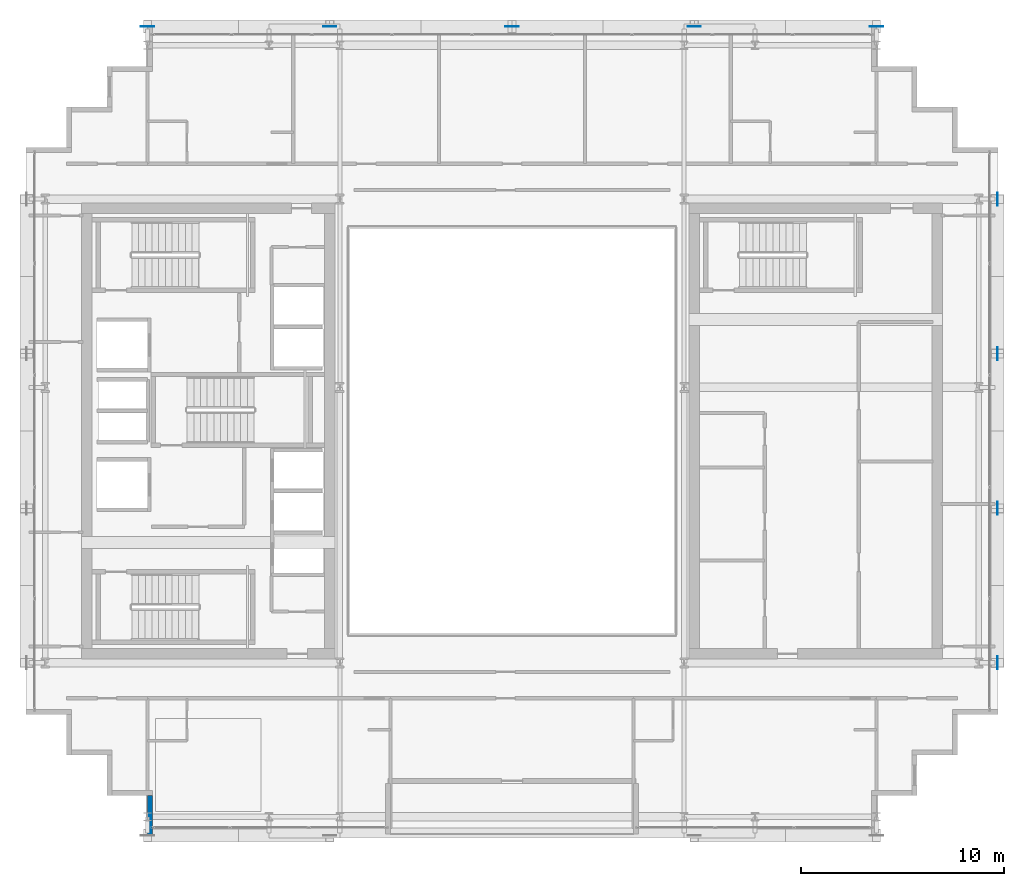
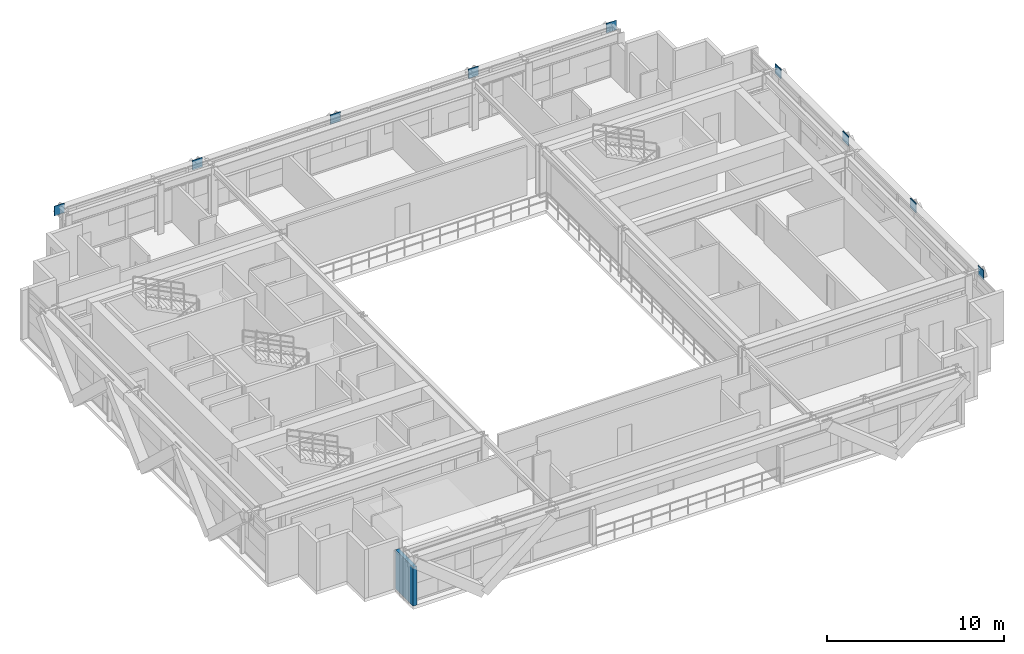
# One storey, part 23 of 31: 9 plates, 1 wall.
"""IFC4 building model written with IfcOpenShell, lengths in metres."""

from ifc_helpers import new_model, si_unit, direction, frame, frame_2d, origin, origin_2d, place, context, subcontext, project, spatial, rectangle, extrude, source, transform, mapped, material, layer, layer_set, type_object, element, save


model = new_model("IFC4")

# Units and contexts
model_context = context("Model", 3, precision=1e-05, world=origin(), true_north=direction((0.0, 1.0)))
body_context = subcontext(model_context, "Body", "Model", "MODEL_VIEW")
ifc_project = project(units=[si_unit("LENGTHUNIT", "METRE"), si_unit("AREAUNIT", "SQUARE_METRE"), si_unit("VOLUMEUNIT", "CUBIC_METRE"), si_unit("PLANEANGLEUNIT", "RADIAN"), si_unit("MASSUNIT", "GRAM", prefix="KILO")], contexts=[model_context])

# Site, building, storey
site_placement = place(None, origin())
site = spatial("IfcSite", under=ifc_project, at=site_placement, CompositionType="ELEMENT")
building_placement = place(site_placement, origin())
building = spatial("IfcBuilding", under=site, at=building_placement, Name="Ocotamira Hotel", CompositionType="ELEMENT")
storey_placement = place(building_placement, frame((0.0, 0.0, 199.199951171875)))
storey = spatial("IfcBuildingStorey", under=building, at=storey_placement, Name="L50", CompositionType="ELEMENT", Elevation=199.199951171875)

# Plates
ifc_material_1 = material(Name="Pale-metal coated steel ASTM A572 Grade 50", Category="steel")
ifc_layer_1 = layer(ifc_material_1, 0.0400390625)
ifc_layer_set_1 = layer_set([ifc_layer_1], Name="Pale-metal coated steel ASTM A572 Grade 50")
plate_type = type_object("IfcPlateType", Name="PLT-GUSSET-40", PredefinedType="SHEET", material=ifc_layer_set_1)
shared_shape_1 = source(origin(), body_context, "Body", "SweptSolid", [
    extrude(rectangle(XDim=0.64990234375, YDim=0.0400390625, at=origin_2d()), origin(), (0.0, 0.0, 1.0), 0.64990234375),
])
for number, where, z_axis, x_axis, name in (
    (1, (14.0, 45.969970703125, 2.795166015625), (0.0, 0.0, 1.0), (-1.0, 0.0, 0.0), "L50 Exoskeleton Diagrid N0.1 End Gusset B"),
    (2, (23.0, 45.969970703125, 2.795166015625), (0.0, 0.0, 1.0), (1.0, 0.0, 0.0), "L50 Exoskeleton Diagrid N0.2 End Gusset B"),
    (3, (32.0, 45.969970703125, 2.795166015625), (0.0, 0.0, 1.0), (1.0, 0.0, 0.0), "L50 Exoskeleton Diagrid N1.2 End Gusset B"),
    (4, (41.0, 45.969970703125, 2.795166015625), (0.0, 0.0, 1.0), (1.0, 0.0, 0.0), "L50 Exoskeleton Diagrid N2.2 End Gusset B"),
    (5, (50.0, 45.969970703125, 2.795166015625), (0.0, 0.0, 1.0), (1.0, 0.0, 0.0), "L50 Exoskeleton Diagrid N3.2 End Gusset B"),
):
    element("IfcPlate", number, at=place(storey_placement, frame(where, z_axis=z_axis, x_axis=x_axis)), inside=storey, type_object=plate_type, Name=name, PredefinedType="SHEET", context=body_context, shape_type="MappedRepresentation", body=[
        mapped(shared_shape_1, transform((0.0, 0.0, 0.0), scale=1.0)),
    ])
shared_shape_2 = source(origin(), body_context, "Body", "SweptSolid", [
    extrude(rectangle(XDim=0.0400390625, YDim=0.64990234375, at=origin_2d()), origin(), (0.0, 0.0, 1.0), 0.64990234375),
])
for number, where, z_axis, x_axis, name in (
    (6, (55.969970703125, 14.550048828125, 2.795166015625), (0.0, 0.0, 1.0), (1.0, 0.0, 0.0), "L50 Exoskeleton Diagrid E0.1 End Gusset B"),
    (7, (55.969970703125, 22.183349609375, 2.795166015625), (0.0, 0.0, 1.0), (1.0, 0.0, 0.0), "L50 Exoskeleton Diagrid E0.2 End Gusset B"),
    (8, (55.969970703125, 29.816650390625, 2.795166015625), (0.0, 0.0, 1.0), (1.0, 0.0, 0.0), "L50 Exoskeleton Diagrid E1.2 End Gusset B"),
    (9, (55.969970703125, 37.449951171875, 2.795166015625), (0.0, 0.0, 1.0), (1.0, 0.0, 0.0), "L50 Exoskeleton Diagrid E2.2 End Gusset B"),
):
    element("IfcPlate", number, at=place(storey_placement, frame(where, z_axis=z_axis, x_axis=x_axis)), inside=storey, type_object=plate_type, Name=name, PredefinedType="SHEET", context=body_context, shape_type="MappedRepresentation", body=[
        mapped(shared_shape_2, transform((0.0, 0.0, 0.0), scale=1.0)),
    ])

# Wall
ifc_material_2 = material(Name="Precast concrete C45/55", Category="concrete")
ifc_layer_2 = layer(ifc_material_2, 0.25)
ifc_layer_set_2 = layer_set([ifc_layer_2], Name="Precast concrete C45/55")
wall_type = type_object("IfcWallType", Name="WL-EXT-SER-250", PredefinedType="SOLIDWALL", material=ifc_layer_set_2)
wall_placement = place(storey_placement, frame((14.125, 8.0, 0.0), z_axis=(0.0, 0.0, 1.0), x_axis=(0.0, -1.0, 0.0)))
element("IfcWall", 10, at=wall_placement, inside=storey, type_object=wall_type, Name="L50 Serrated Corner Wall 24", PredefinedType="SOLIDWALL", context=body_context, shape_type="SweptSolid", body=[
    extrude(rectangle(XDim=2.0, YDim=0.25, at=frame_2d((1.0, 0.0))), origin(), (0.0, 0.0, 1.0), 2.677001953125),
])

save(model, "model.ifc")
